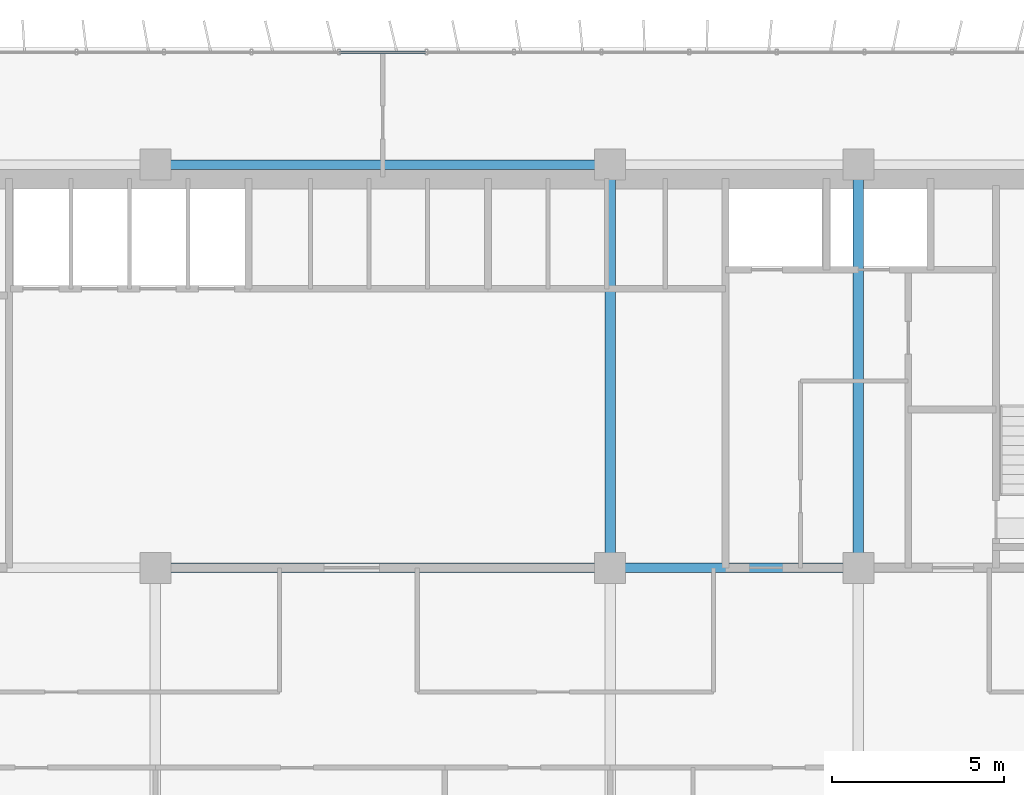
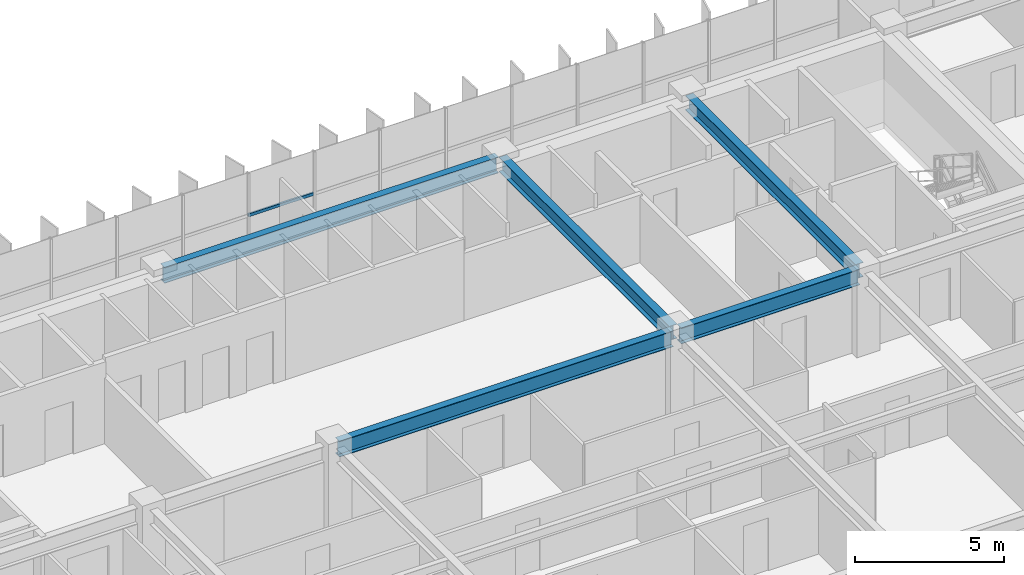
# One storey, part 9 of 22: 5 beams, 1 member, 1 element without a shape of its own.
"""IFC4 building model written with IfcOpenShell, lengths in metres."""

from ifc_helpers import new_model, si_unit, direction, frame, origin, origin_2d, place, context, subcontext, project, spatial, hollow_rectangle, i_section, extrude, source, transform, mapped, material, material_profile, profile_set, type_object, element, aggregate, save


model = new_model("IFC4")

# Units and contexts
model_context = context("Model", 3, precision=1e-05, world=origin(), true_north=direction((0.0, 1.0)))
body_context = subcontext(model_context, "Body", "Model", "MODEL_VIEW")
ifc_project = project(units=[si_unit("LENGTHUNIT", "METRE"), si_unit("AREAUNIT", "SQUARE_METRE"), si_unit("VOLUMEUNIT", "CUBIC_METRE"), si_unit("PLANEANGLEUNIT", "RADIAN"), si_unit("MASSUNIT", "GRAM", prefix="KILO")], contexts=[model_context])

# Site, building, storey
site_placement = place(None, origin())
site = spatial("IfcSite", under=ifc_project, at=site_placement, CompositionType="ELEMENT")
building_placement = place(site_placement, origin())
building = spatial("IfcBuilding", under=site, at=building_placement, Name="Trelvane Seafront Commons", CompositionType="ELEMENT")
storey_placement = place(building_placement, frame((0.0, 0.0, 52.300048828125)))
storey = spatial("IfcBuildingStorey", under=building, at=storey_placement, Name="L13", CompositionType="ELEMENT", Elevation=52.300048828125)

# Beams
ifc_material_1 = material(Name="Steel SM355 (S355)", Category="steel")
ifc_material_profile_1 = material_profile(ifc_material_1, i_section(OverallWidth=0.280029296875, OverallDepth=0.64990234375, WebThickness=0.012939453125, FlangeThickness=0.02197265625, at=origin_2d()), Name="H-650x280x13x22")
ifc_profile_set_1 = profile_set([ifc_material_profile_1], Name="Steel SM355 (S355)")
beam_type_1 = type_object("IfcBeamType", Name="STR-BM-H650", PredefinedType="BEAM", material=ifc_profile_set_1)
shared_shape_1 = source(origin(), body_context, "Body", "SweptSolid", [
    extrude(i_section(OverallWidth=0.280029296875, OverallDepth=0.64990234375, WebThickness=0.012939453125, FlangeThickness=0.02197265625, at=origin_2d()), origin(), (0.0, 0.0, 1.0), 12.89990234375),
])
for number, where, z_axis, x_axis, name in (
    (1, (30.75, 33.39990234375, 3.014892578125), (1.0, 0.0, 0.0), (0.0, 1.0, 0.0), "L13 Primary Girder G-23"),
    (2, (30.75, 45.10009765625, 3.014892578125), (1.0, 0.0, 0.0), (0.0, 1.0, 0.0), "L13 Primary Girder G-32"),
):
    element("IfcBeam", number, at=place(storey_placement, frame(where, z_axis=z_axis, x_axis=x_axis)), inside=storey, type_object=beam_type_1, Name=name, PredefinedType="BEAM", context=body_context, shape_type="MappedRepresentation", body=[
        mapped(shared_shape_1, transform((0.0, 0.0, 0.0), x_axis=(1.0, 0.0, 0.0), y_axis=(0.0, 1.0, 0.0), z_axis=(0.0, 0.0, 1.0), scale=1.0)),
    ])
shared_shape_2 = source(origin(), body_context, "Body", "SweptSolid", [
    extrude(i_section(OverallWidth=0.280029296875, OverallDepth=0.64990234375, WebThickness=0.012939453125, FlangeThickness=0.02197265625, at=origin_2d()), origin(), (0.0, 0.0, 1.0), 6.900146484375),
])
beam_placement = place(storey_placement, frame((43.949951171875, 33.39990234375, 3.014892578125), z_axis=(1.0, 0.0, 0.0), x_axis=(0.0, 1.0, 0.0)))
element("IfcBeam", 3, at=beam_placement, inside=storey, type_object=beam_type_1, Name="L13 Primary Girder G-24", PredefinedType="BEAM", context=body_context, shape_type="MappedRepresentation", body=[
    mapped(shared_shape_2, transform((0.0, 0.0, 0.0), x_axis=(1.0, 0.0, 0.0), y_axis=(0.0, 1.0, 0.0), z_axis=(0.0, 0.0, 1.0), scale=1.0)),
])
ifc_material_profile_2 = material_profile(ifc_material_1, i_section(OverallWidth=0.300048828125, OverallDepth=0.587890625, WebThickness=0.011962890625, FlangeThickness=0.02001953125, at=origin_2d()), Name="H-588x300x12x20")
ifc_profile_set_2 = profile_set([ifc_material_profile_2], Name="Steel SM355 (S355)")
beam_type_2 = type_object("IfcBeamType", Name="STR-BM-H588", PredefinedType="BEAM", material=ifc_profile_set_2)
shared_shape_3 = source(origin(), body_context, "Body", "SweptSolid", [
    extrude(i_section(OverallWidth=0.300048828125, OverallDepth=0.587890625, WebThickness=0.011962890625, FlangeThickness=0.02001953125, at=origin_2d()), origin(), (0.0, 0.0, 1.0), 11.39990234375),
])
for number, where, z_axis, x_axis, name in (
    (4, (43.800048828125, 33.550048828125, 3.0458984375), (0.0, 1.0, 0.0), (-1.0, 0.0, 0.0), "L13 Primary Girder G-54"),
    (5, (51.0, 33.550048828125, 3.0458984375), (0.0, 1.0, 0.0), (-1.0, 0.0, 0.0), "L13 Primary Girder G-57"),
):
    element("IfcBeam", number, at=place(storey_placement, frame(where, z_axis=z_axis, x_axis=x_axis)), inside=storey, type_object=beam_type_2, Name=name, PredefinedType="BEAM", context=body_context, shape_type="MappedRepresentation", body=[
        mapped(shared_shape_3, transform((0.0, 0.0, 0.0), x_axis=(1.0, 0.0, 0.0), y_axis=(0.0, 1.0, 0.0), z_axis=(0.0, 0.0, 1.0), scale=1.0)),
    ])

# Curtain wall, member
ifc_material_2 = material(Name="Anodised pale-silver aluminium", Category="aluminium")
curtain_wall_type = type_object("IfcCurtainWallType", Name="ARCH-CW2-LOWTOWER", PredefinedType="NOTDEFINED", material=ifc_material_2)
curtain_wall_placement = place(storey_placement, origin())
curtain_wall = element("IfcCurtainWall", 6, at=curtain_wall_placement, inside=storey, type_object=curtain_wall_type, Name="CW-L13-0037", PredefinedType="NOTDEFINED")
ifc_material_profile_3 = material_profile(ifc_material_2, hollow_rectangle(XDim=0.070068359375, YDim=0.1201171875, WallThickness=0.00390625, at=origin_2d()), Name="TRAN-70x120x4")
ifc_profile_set_3 = profile_set([ifc_material_profile_3], Name="Anodised pale-silver aluminium")
member_type = type_object("IfcMemberType", Name="ARCH-CW-TRAN-120", PredefinedType="USERDEFINED", material=ifc_profile_set_3)
shared_shape_4 = source(origin(), body_context, "Body", "SweptSolid", [
    extrude(hollow_rectangle(XDim=0.070068359375, YDim=0.1201171875, WallThickness=0.00390625, at=origin_2d()), origin(), (0.0, 0.0, 1.0), 2.51708984375),
])
member_placement = place(storey_placement, frame((35.94140625, 48.3701171875, 1.60302734375), z_axis=(1.0, 0.0, 0.0), x_axis=(0.0, 1.0, 0.0)))
member = element("IfcMember", 7, at=member_placement, type_object=member_type, Name="CW-L13-0037-T08", ObjectType="TRANSOM", PredefinedType="USERDEFINED", context=body_context, shape_type="MappedRepresentation", body=[
    mapped(shared_shape_4, transform((0.0, 0.0, 0.0), x_axis=(1.0, 0.0, 0.0), y_axis=(0.0, 1.0, 0.0), z_axis=(0.0, 0.0, 1.0), scale=1.0)),
])
aggregate(curtain_wall, [member])

save(model, "model.ifc")
